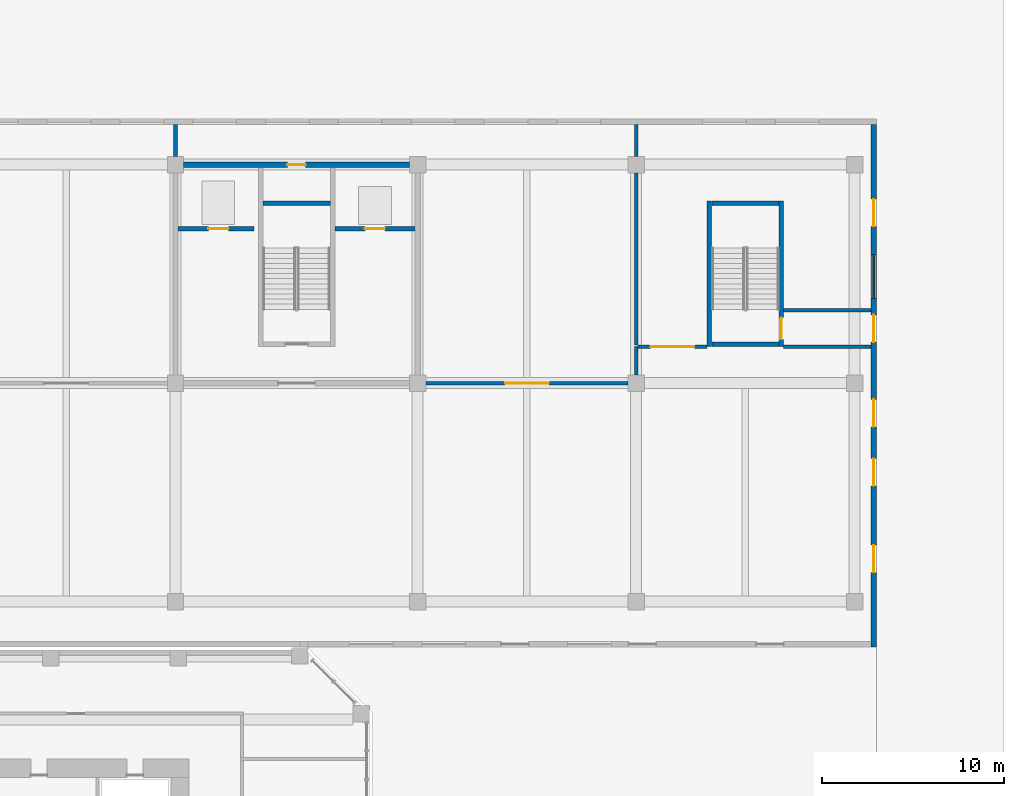
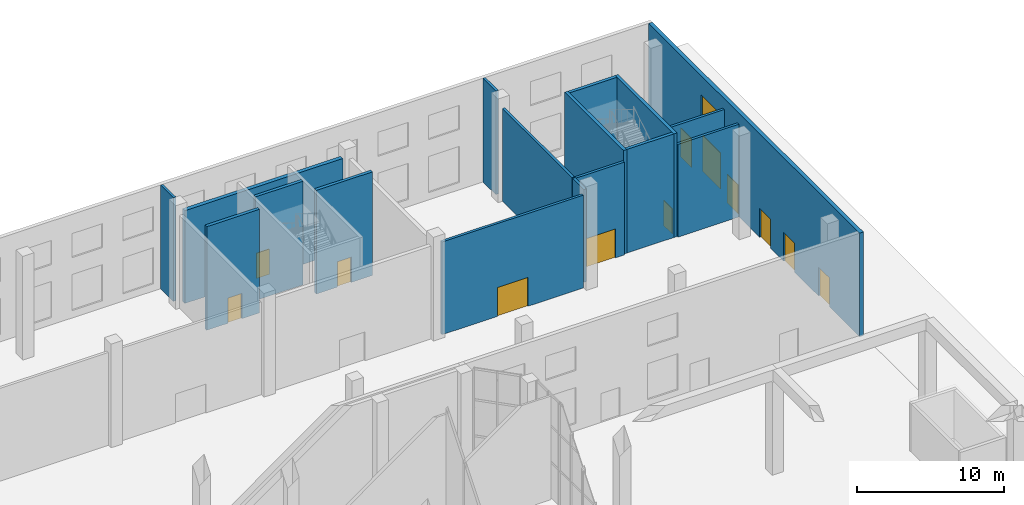
# One storey, part 30 of 43: 17 walls, 11 doors, 2 windows, 13 openings.
"""IFC4 building model written with IfcOpenShell, lengths in metres."""

from ifc_helpers import new_model, si_unit, direction, frame, frame_2d, origin, place, context, subcontext, project, spatial, rectangle, extrude, source, transform, mapped, material, layer, layer_set, type_object, element, fill, save


model = new_model("IFC4")

# Units and contexts
model_context = context("Model", 3, precision=1e-05, world=origin(), true_north=direction((0.0, 1.0)))
body_context = subcontext(model_context, "Body", "Model", "MODEL_VIEW")
ifc_project = project(units=[si_unit("LENGTHUNIT", "METRE"), si_unit("AREAUNIT", "SQUARE_METRE"), si_unit("VOLUMEUNIT", "CUBIC_METRE"), si_unit("PLANEANGLEUNIT", "RADIAN"), si_unit("MASSUNIT", "GRAM", prefix="KILO")], contexts=[model_context])

# Site, building, storey
site_placement = place(None, origin())
site = spatial("IfcSite", under=ifc_project, at=site_placement, CompositionType="ELEMENT")
building_placement = place(site_placement, origin())
building = spatial("IfcBuilding", under=site, at=building_placement, Name="Kilnfold Tower and Market Hall", CompositionType="ELEMENT")
storey_placement = place(building_placement, origin())
storey = spatial("IfcBuildingStorey", under=building, at=storey_placement, Name="L00", CompositionType="ELEMENT", Elevation=0.0)

# Walls
ifc_material_1 = material(Name="Concrete C50/60", Category="concrete")
ifc_layer_1 = layer(ifc_material_1, 0.25)
ifc_layer_set_1 = layer_set([ifc_layer_1], Name="Concrete C50/60")
wall_type_1 = type_object("IfcWallType", Name="HALL CORE WALL 250", PredefinedType="SHEAR", material=ifc_layer_set_1)
shared_shape_1 = source(origin(), body_context, "Body", "SweptSolid", [
    extrude(rectangle(XDim=3.699951171875, YDim=0.25, at=frame_2d((1.85009765625, 0.0))), origin(), (0.0, 0.0, 1.0), 8.60009765625),
])
for number, where, z_axis, x_axis, name in (
    (1, (46.800048828125, 44.77490234375, 0.0), (0.0, 0.0, 1.0), (1.0, 0.0, 0.0), "Core wall MS6"),
    (2, (46.800048828125, 52.52490234375, 0.0), (0.0, 0.0, 1.0), (1.0, 0.0, 0.0), "Core wall MS6"),
):
    element("IfcWall", number, at=place(storey_placement, frame(where, z_axis=z_axis, x_axis=x_axis)), inside=storey, type_object=wall_type_1, Name=name, PredefinedType="SHEAR", context=body_context, shape_type="MappedRepresentation", body=[
        mapped(shared_shape_1, transform((0.0, 0.0, 0.0))),
    ])
shared_shape_2 = source(origin(), body_context, "Body", "SweptSolid", [
    extrude(rectangle(XDim=3.7001953125, YDim=0.25, at=frame_2d((1.85009765625, 0.0))), origin(), (0.0, 0.0, 1.0), 8.60009765625),
])
wall_1_placement = place(storey_placement, frame((25.85009765625, 52.52490234375, 0.0), z_axis=(0.0, 0.0, 1.0), x_axis=(-1.0, 0.0, 0.0)))
element("IfcWall", 3, at=wall_1_placement, inside=storey, type_object=wall_type_1, Name="Core wall MH3", PredefinedType="SHEAR", context=body_context, shape_type="MappedRepresentation", body=[
    mapped(shared_shape_2, transform((0.0, 0.0, 0.0))),
])
shared_shape_3 = source(origin(), body_context, "Body", "SweptSolid", [
    extrude(rectangle(XDim=8.0, YDim=0.25, at=frame_2d((4.0, 0.0))), origin(), (0.0, 0.0, 1.0), 8.60009765625),
])
wall_2_placement = place(storey_placement, frame((46.675048828125, 44.64990234375, 0.0), z_axis=(0.0, 0.0, 1.0), x_axis=(0.0, 1.0, 0.0)))
element("IfcWall", 4, at=wall_2_placement, inside=storey, type_object=wall_type_1, Name="Core wall MS6", PredefinedType="SHEAR", context=body_context, shape_type="MappedRepresentation", body=[
    mapped(shared_shape_3, transform((0.0, 0.0, 0.0))),
])

# Wall, opening, door
wall_3_placement = place(storey_placement, frame((50.625, 44.64990234375, 0.0), z_axis=(0.0, 0.0, 1.0), x_axis=(0.0, 1.0, 0.0)))
wall_3 = element("IfcWall", 5, at=wall_3_placement, inside=storey, type_object=wall_type_1, Name="Core wall MS6", PredefinedType="SHEAR", context=body_context, shape_type="MappedRepresentation", body=[
    mapped(shared_shape_3, transform((0.0, 0.0, 0.0))),
])
opening_1_placement = place(wall_3_placement, frame((0.39990234375, 0.0, 0.0)))
opening_1 = element("IfcOpeningElement", 6, at=opening_1_placement, cuts=wall_3, Name="Opening MD9-60", PredefinedType="OPENING", context=body_context, shape_type="SweptSolid", body=[
    extrude(rectangle(XDim=1.199951171875, YDim=2.10009765625, at=frame_2d((0.60009765625, 1.050048828125))), frame((0.0, 0.135009765625, 0.0), z_axis=(0.0, -1.0, 0.0), x_axis=(1.0, 0.0, 0.0)), (0.0, 0.0, 1.0), 0.27001953125),
])
ifc_material_2 = material(Name="Steel S355", Category="steel")
door_type_1 = type_object("IfcDoorType", Name="HALL DOOR STAIR 1200X2100 FD60", OperationType="NOTDEFINED", PredefinedType="DOOR", material=ifc_material_2)
door_1_placement = place(opening_1_placement, origin())
door_1 = element("IfcDoor", 7, at=door_1_placement, inside=storey, type_object=door_type_1, Name="Door MD9-60", OperationType="DOUBLE_DOOR_SINGLE_SWING", OverallHeight=2.10009765625, OverallWidth=1.199951171875, PredefinedType="DOOR", context=body_context, shape_type="SweptSolid", body=[
    extrude(rectangle(XDim=1.199951171875, YDim=2.10009765625, at=frame_2d((0.60009765625, 1.050048828125))), frame((0.0, 0.02490234375, 0.0), z_axis=(0.0, -1.0, 0.0), x_axis=(1.0, 0.0, 0.0)), (0.0, 0.0, 1.0), 0.050048828125),
])
fill(opening_1, door_1)

ifc_material_3 = material(Name="Concrete C50/60", Category="concrete")
ifc_layer_2 = layer(ifc_material_3, 0.300048828125)
ifc_layer_set_2 = layer_set([ifc_layer_2], Name="Concrete C50/60")
wall_type_2 = type_object("IfcWallType", Name="HALL CORE WALL 300", PredefinedType="SHEAR", material=ifc_layer_set_2)
shared_shape_4 = source(origin(), body_context, "Body", "SweptSolid", [
    extrude(rectangle(XDim=12.39990234375, YDim=0.300048828125, at=frame_2d((6.199951171875, 0.0))), origin(), (0.0, 0.0, 1.0), 7.699951171875),
])
wall_4_placement = place(storey_placement, frame((30.199951171875, 54.64990234375, 0.0), z_axis=(0.0, 0.0, 1.0), x_axis=(-1.0, 0.0, 0.0)))
wall_4 = element("IfcWall", 8, at=wall_4_placement, inside=storey, type_object=wall_type_2, Name="Core wall MH3", PredefinedType="SHEAR", context=body_context, shape_type="MappedRepresentation", body=[
    mapped(shared_shape_4, transform((0.0, 0.0, 0.0))),
])
opening_2_placement = place(wall_4_placement, frame((5.699951171875, 0.0, 0.0)))
opening_2 = element("IfcOpeningElement", 9, at=opening_2_placement, cuts=wall_4, Name="Opening MD4-60", PredefinedType="OPENING", context=body_context, shape_type="SweptSolid", body=[
    extrude(rectangle(XDim=1.0, YDim=2.10009765625, at=frame_2d((0.5, 1.050048828125))), frame((0.0, 0.16015625, 0.0), z_axis=(0.0, -1.0, 0.0), x_axis=(1.0, 0.0, 0.0)), (0.0, 0.0, 1.0), 0.320068359375),
])
ifc_material_4 = material(Name="Steel S355", Category="steel")
door_type_2 = type_object("IfcDoorType", Name="HALL DOOR RISER 1000X2100 FD60", OperationType="NOTDEFINED", PredefinedType="DOOR", material=ifc_material_4)
door_2_placement = place(opening_2_placement, origin())
door_2 = element("IfcDoor", 10, at=door_2_placement, inside=storey, type_object=door_type_2, Name="Door MD4-60", OperationType="SINGLE_SWING_LEFT", OverallHeight=2.10009765625, OverallWidth=1.0, PredefinedType="DOOR", context=body_context, shape_type="SweptSolid", body=[
    extrude(rectangle(XDim=1.0, YDim=2.10009765625, at=frame_2d((0.5, 1.050048828125))), frame((0.0, 0.02490234375, 0.0), z_axis=(0.0, -1.0, 0.0), x_axis=(1.0, 0.0, 0.0)), (0.0, 0.0, 1.0), 0.050048828125),
])
fill(opening_2, door_2)

shared_shape_5 = source(origin(), body_context, "Body", "SweptSolid", [
    extrude(rectangle(XDim=4.39990234375, YDim=0.25, at=frame_2d((2.199951171875, 0.0))), origin(), (0.0, 0.0, 1.0), 8.60009765625),
])
wall_5_placement = place(storey_placement, frame((30.5, 51.125, 0.0), z_axis=(0.0, 0.0, 1.0), x_axis=(-1.0, 0.0, 0.0)))
wall_5 = element("IfcWall", 11, at=wall_5_placement, inside=storey, type_object=wall_type_1, Name="Core wall MH3", PredefinedType="SHEAR", context=body_context, shape_type="MappedRepresentation", body=[
    mapped(shared_shape_5, transform((0.0, 0.0, 0.0))),
])
opening_3_placement = place(wall_5_placement, frame((1.64990234375, 0.0, 0.0)))
opening_3 = element("IfcOpeningElement", 12, at=opening_3_placement, cuts=wall_5, Name="Opening LD", PredefinedType="OPENING", context=body_context, shape_type="SweptSolid", body=[
    extrude(rectangle(XDim=1.10009765625, YDim=2.10009765625, at=frame_2d((0.550048828125, 1.050048828125))), frame((0.0, 0.135009765625, 0.0), z_axis=(0.0, -1.0, 0.0), x_axis=(1.0, 0.0, 0.0)), (0.0, 0.0, 1.0), 0.27001953125),
])
ifc_material_5 = material(Name="Steel S355", Category="steel")
door_type_3 = type_object("IfcDoorType", Name="HALL LANDING DOOR 1100X2100 FD60", OperationType="NOTDEFINED", PredefinedType="DOOR", material=ifc_material_5)
door_3_placement = place(opening_3_placement, origin())
door_3 = element("IfcDoor", 13, at=door_3_placement, inside=storey, type_object=door_type_3, Name="Door LD", OperationType="SLIDING_TO_LEFT", OverallHeight=2.10009765625, OverallWidth=1.10009765625, PredefinedType="DOOR", context=body_context, shape_type="SweptSolid", body=[
    extrude(rectangle(XDim=1.10009765625, YDim=2.10009765625, at=frame_2d((0.550048828125, 1.050048828125))), frame((0.0, 0.02490234375, 0.0), z_axis=(0.0, -1.0, 0.0), x_axis=(1.0, 0.0, 0.0)), (0.0, 0.0, 1.0), 0.050048828125),
])
fill(opening_3, door_3)

shared_shape_6 = source(origin(), body_context, "Body", "SweptSolid", [
    extrude(rectangle(XDim=4.14990234375, YDim=0.25, at=frame_2d((2.074951171875, 0.0))), origin(), (0.0, 0.0, 1.0), 8.60009765625),
])
wall_6_placement = place(storey_placement, frame((21.64990234375, 51.125, 0.0), z_axis=(0.0, 0.0, 1.0), x_axis=(-1.0, 0.0, 0.0)))
wall_6 = element("IfcWall", 14, at=wall_6_placement, inside=storey, type_object=wall_type_1, Name="Core wall MH3", PredefinedType="SHEAR", context=body_context, shape_type="MappedRepresentation", body=[
    mapped(shared_shape_6, transform((0.0, 0.0, 0.0))),
])
opening_4_placement = place(wall_6_placement, frame((1.39990234375, 0.0, 0.0)))
opening_4 = element("IfcOpeningElement", 15, at=opening_4_placement, cuts=wall_6, Name="Opening LD", PredefinedType="OPENING", context=body_context, shape_type="SweptSolid", body=[
    extrude(rectangle(XDim=1.10009765625, YDim=2.10009765625, at=frame_2d((0.550048828125, 1.050048828125))), frame((0.0, 0.135009765625, 0.0), z_axis=(0.0, -1.0, 0.0), x_axis=(1.0, 0.0, 0.0)), (0.0, 0.0, 1.0), 0.27001953125),
])
door_4_placement = place(opening_4_placement, origin())
door_4 = element("IfcDoor", 16, at=door_4_placement, inside=storey, type_object=door_type_3, Name="Door LD", OperationType="SLIDING_TO_LEFT", OverallHeight=2.10009765625, OverallWidth=1.10009765625, PredefinedType="DOOR", context=body_context, shape_type="SweptSolid", body=[
    extrude(rectangle(XDim=1.10009765625, YDim=2.10009765625, at=frame_2d((0.550048828125, 1.050048828125))), frame((0.0, 0.02490234375, 0.0), z_axis=(0.0, -1.0, 0.0), x_axis=(1.0, 0.0, 0.0)), (0.0, 0.0, 1.0), 0.050048828125),
])
fill(opening_4, door_4)

# Wall, openings, windows, doors
ifc_material_6 = material(Name="Concrete blockwork", Category="masonry")
ifc_layer_3 = layer(ifc_material_6, 0.300048828125)
ifc_layer_set_3 = layer_set([ifc_layer_3], Name="Concrete blockwork")
wall_type_3 = type_object("IfcWallType", Name="HALL EXTERNAL WALL 300 EI 60", PredefinedType="SOLIDWALL", material=ifc_layer_set_3)
shared_shape_7 = source(origin(), body_context, "Body", "SweptSolid", [
    extrude(rectangle(XDim=28.7001953125, YDim=0.300048828125, at=frame_2d((14.35009765625, 0.0))), origin(), (0.0, 0.0, 1.0), 8.60009765625),
])
wall_7_placement = place(storey_placement, frame((55.699951171875, 56.85009765625, 0.0), z_axis=(0.0, 0.0, 1.0), x_axis=(0.0, -1.0, 0.0)))
wall_7 = element("IfcWall", 17, at=wall_7_placement, inside=storey, type_object=wall_type_3, Name="External wall MEW-L00.3", PredefinedType="SOLIDWALL", context=body_context, shape_type="MappedRepresentation", body=[
    mapped(shared_shape_7, transform((0.0, 0.0, 0.0))),
])
opening_5_placement = place(wall_7_placement, frame((23.10009765625, 0.0, 0.0)))
opening_5 = element("IfcOpeningElement", 18, at=opening_5_placement, cuts=wall_7, Name="Opening MED1", PredefinedType="OPENING", context=body_context, shape_type="SweptSolid", body=[
    extrude(rectangle(XDim=1.5, YDim=2.39990234375, at=frame_2d((0.75, 1.199951171875))), frame((0.0, 0.16015625, 0.0), z_axis=(0.0, -1.0, 0.0), x_axis=(1.0, 0.0, 0.0)), (0.0, 0.0, 1.0), 0.320068359375),
])
opening_6_placement = place(wall_7_placement, frame((15.10009765625, 0.0, 0.0)))
opening_6 = element("IfcOpeningElement", 19, at=opening_6_placement, cuts=wall_7, Name="Opening MED1", PredefinedType="OPENING", context=body_context, shape_type="SweptSolid", body=[
    extrude(rectangle(XDim=1.5, YDim=2.39990234375, at=frame_2d((0.75, 1.199951171875))), frame((0.0, 0.16015625, 0.0), z_axis=(0.0, -1.0, 0.0), x_axis=(1.0, 0.0, 0.0)), (0.0, 0.0, 1.0), 0.320068359375),
])
opening_7_placement = place(wall_7_placement, frame((4.10009765625, 0.0, 0.0)))
opening_7 = element("IfcOpeningElement", 20, at=opening_7_placement, cuts=wall_7, Name="Opening MED1", PredefinedType="OPENING", context=body_context, shape_type="SweptSolid", body=[
    extrude(rectangle(XDim=1.5, YDim=2.39990234375, at=frame_2d((0.75, 1.199951171875))), frame((0.0, 0.16015625, 0.0), z_axis=(0.0, -1.0, 0.0), x_axis=(1.0, 0.0, 0.0)), (0.0, 0.0, 1.0), 0.320068359375),
])
opening_8_placement = place(wall_7_placement, frame((18.35009765625, 0.0, 0.0)))
opening_8 = element("IfcOpeningElement", 21, at=opening_8_placement, cuts=wall_7, Name="Opening MED1", PredefinedType="OPENING", context=body_context, shape_type="SweptSolid", body=[
    extrude(rectangle(XDim=1.5, YDim=2.39990234375, at=frame_2d((0.75, 1.199951171875))), frame((0.0, 0.16015625, 0.0), z_axis=(0.0, -1.0, 0.0), x_axis=(1.0, 0.0, 0.0)), (0.0, 0.0, 1.0), 0.320068359375),
])
opening_9_placement = place(wall_7_placement, frame((10.449951171875, 0.0, 0.0)))
opening_9 = element("IfcOpeningElement", 22, at=opening_9_placement, cuts=wall_7, Name="Opening MED1", PredefinedType="OPENING", context=body_context, shape_type="SweptSolid", body=[
    extrude(rectangle(XDim=1.5, YDim=2.39990234375, at=frame_2d((0.75, 1.199951171875))), frame((0.0, 0.16015625, 0.0), z_axis=(0.0, -1.0, 0.0), x_axis=(1.0, 0.0, 0.0)), (0.0, 0.0, 1.0), 0.320068359375),
])
opening_10_placement = place(wall_7_placement, frame((7.14990234375, 0.0, 0.60009765625)))
opening_10 = element("IfcOpeningElement", 23, at=opening_10_placement, cuts=wall_7, Name="Opening MEN1", PredefinedType="OPENING", context=body_context, shape_type="SweptSolid", body=[
    extrude(rectangle(XDim=2.39990234375, YDim=3.0, at=frame_2d((1.199951171875, 1.5))), frame((0.0, 0.16015625, 0.0), z_axis=(0.0, -1.0, 0.0), x_axis=(1.0, 0.0, 0.0)), (0.0, 0.0, 1.0), 0.320068359375),
])
opening_11_placement = place(wall_7_placement, frame((7.14990234375, 0.0, 5.0)))
opening_11 = element("IfcOpeningElement", 24, at=opening_11_placement, cuts=wall_7, Name="Opening MEN2", PredefinedType="OPENING", context=body_context, shape_type="SweptSolid", body=[
    extrude(rectangle(XDim=2.39990234375, YDim=2.0, at=frame_2d((1.199951171875, 1.0))), frame((0.0, 0.16015625, 0.0), z_axis=(0.0, -1.0, 0.0), x_axis=(1.0, 0.0, 0.0)), (0.0, 0.0, 1.0), 0.320068359375),
])
ifc_material_7 = material(Name="Aluminium glazing", Category="aluminium")
window_type_1 = type_object("IfcWindowType", Name="CLERESTORY 2400X2000", PartitioningType="SINGLE_PANEL", PredefinedType="WINDOW", material=ifc_material_7)
window_1_placement = place(opening_11_placement, origin())
window_1 = element("IfcWindow", 25, at=window_1_placement, inside=storey, type_object=window_type_1, Name="Window clerestory", OverallHeight=2.0, OverallWidth=2.39990234375, PartitioningType="SINGLE_PANEL", PredefinedType="WINDOW", context=body_context, shape_type="SweptSolid", body=[
    extrude(rectangle(XDim=2.39990234375, YDim=2.0, at=frame_2d((1.199951171875, 1.0))), frame((0.0, 0.030029296875, 0.0), z_axis=(0.0, -1.0, 0.0), x_axis=(1.0, 0.0, 0.0)), (0.0, 0.0, 1.0), 0.06005859375),
])
fill(opening_11, window_1)
ifc_material_8 = material(Name="Aluminium glazing", Category="aluminium")
door_type_4 = type_object("IfcDoorType", Name="HALL EXIT DOOR 1500X2400", OperationType="NOTDEFINED", PredefinedType="DOOR", material=ifc_material_8)
door_5_placement = place(opening_5_placement, origin())
door_5 = element("IfcDoor", 26, at=door_5_placement, inside=storey, type_object=door_type_4, Name="Exit door ME8", OperationType="DOUBLE_DOOR_SINGLE_SWING", OverallHeight=2.39990234375, OverallWidth=1.5, PredefinedType="DOOR", context=body_context, shape_type="SweptSolid", body=[
    extrude(rectangle(XDim=1.5, YDim=2.39990234375, at=frame_2d((0.75, 1.199951171875))), frame((0.0, 0.02490234375, 0.0), z_axis=(0.0, -1.0, 0.0), x_axis=(1.0, 0.0, 0.0)), (0.0, 0.0, 1.0), 0.050048828125),
])
fill(opening_5, door_5)
door_6_placement = place(opening_6_placement, origin())
door_6 = element("IfcDoor", 27, at=door_6_placement, inside=storey, type_object=door_type_4, Name="Exit door ME9", OperationType="DOUBLE_DOOR_SINGLE_SWING", OverallHeight=2.39990234375, OverallWidth=1.5, PredefinedType="DOOR", context=body_context, shape_type="SweptSolid", body=[
    extrude(rectangle(XDim=1.5, YDim=2.39990234375, at=frame_2d((0.75, 1.199951171875))), frame((0.0, 0.02490234375, 0.0), z_axis=(0.0, -1.0, 0.0), x_axis=(1.0, 0.0, 0.0)), (0.0, 0.0, 1.0), 0.050048828125),
])
fill(opening_6, door_6)
door_7_placement = place(opening_7_placement, origin())
door_7 = element("IfcDoor", 28, at=door_7_placement, inside=storey, type_object=door_type_4, Name="Exit door ME10", OperationType="DOUBLE_DOOR_SINGLE_SWING", OverallHeight=2.39990234375, OverallWidth=1.5, PredefinedType="DOOR", context=body_context, shape_type="SweptSolid", body=[
    extrude(rectangle(XDim=1.5, YDim=2.39990234375, at=frame_2d((0.75, 1.199951171875))), frame((0.0, 0.02490234375, 0.0), z_axis=(0.0, -1.0, 0.0), x_axis=(1.0, 0.0, 0.0)), (0.0, 0.0, 1.0), 0.050048828125),
])
fill(opening_7, door_7)
door_8_placement = place(opening_8_placement, origin())
door_8 = element("IfcDoor", 29, at=door_8_placement, inside=storey, type_object=door_type_4, Name="Exit door ME15", OperationType="DOUBLE_DOOR_SINGLE_SWING", OverallHeight=2.39990234375, OverallWidth=1.5, PredefinedType="DOOR", context=body_context, shape_type="SweptSolid", body=[
    extrude(rectangle(XDim=1.5, YDim=2.39990234375, at=frame_2d((0.75, 1.199951171875))), frame((0.0, 0.02490234375, 0.0), z_axis=(0.0, -1.0, 0.0), x_axis=(1.0, 0.0, 0.0)), (0.0, 0.0, 1.0), 0.050048828125),
])
fill(opening_8, door_8)
door_9_placement = place(opening_9_placement, origin())
door_9 = element("IfcDoor", 30, at=door_9_placement, inside=storey, type_object=door_type_4, Name="Exit door ME16", OperationType="DOUBLE_DOOR_SINGLE_SWING", OverallHeight=2.39990234375, OverallWidth=1.5, PredefinedType="DOOR", context=body_context, shape_type="SweptSolid", body=[
    extrude(rectangle(XDim=1.5, YDim=2.39990234375, at=frame_2d((0.75, 1.199951171875))), frame((0.0, 0.02490234375, 0.0), z_axis=(0.0, -1.0, 0.0), x_axis=(1.0, 0.0, 0.0)), (0.0, 0.0, 1.0), 0.050048828125),
])
fill(opening_9, door_9)
ifc_material_9 = material(Name="Aluminium glazing", Category="aluminium")
window_type_2 = type_object("IfcWindowType", Name="SHOPFRONT 2400X3000", PartitioningType="SINGLE_PANEL", PredefinedType="WINDOW", material=ifc_material_9)
window_2_placement = place(opening_10_placement, origin())
window_2 = element("IfcWindow", 31, at=window_2_placement, inside=storey, type_object=window_type_2, Name="Window shop", OverallHeight=3.0, OverallWidth=2.39990234375, PartitioningType="SINGLE_PANEL", PredefinedType="WINDOW", context=body_context, shape_type="SweptSolid", body=[
    extrude(rectangle(XDim=2.39990234375, YDim=3.0, at=frame_2d((1.199951171875, 1.5))), frame((0.0, 0.030029296875, 0.0), z_axis=(0.0, -1.0, 0.0), x_axis=(1.0, 0.0, 0.0)), (0.0, 0.0, 1.0), 0.06005859375),
])
fill(opening_10, window_2)

# Walls
ifc_material_10 = material(Name="Concrete blockwork", Category="masonry")
ifc_layer_4 = layer(ifc_material_10, 0.199951171875)
ifc_layer_set_4 = layer_set([ifc_layer_4], Name="Concrete blockwork")
wall_type_4 = type_object("IfcWallType", Name="HALL PARTITION 200 EI 60", PredefinedType="PARTITIONING", material=ifc_layer_set_4)
shared_shape_8 = source(origin(), body_context, "Body", "SweptSolid", [
    extrude(rectangle(XDim=1.75, YDim=0.199951171875, at=frame_2d((0.875, 0.0))), origin(), (0.0, 0.0, 1.0), 8.60009765625),
])
for number, where, z_axis, x_axis, name in (
    (32, (17.35009765625, 56.85009765625, 0.0), (0.0, 0.0, 1.0), (0.0, -1.0, 0.0), "Partition W-MH-L00.42"),
    (33, (42.64990234375, 56.85009765625, 0.0), (0.0, 0.0, 1.0), (0.0, -1.0, 0.0), "Partition W-MH-L00.47"),
):
    element("IfcWall", number, at=place(storey_placement, frame(where, z_axis=z_axis, x_axis=x_axis)), inside=storey, type_object=wall_type_4, Name=name, PredefinedType="PARTITIONING", context=body_context, shape_type="MappedRepresentation", body=[
        mapped(shared_shape_8, transform((0.0, 0.0, 0.0))),
    ])
shared_shape_9 = source(origin(), body_context, "Body", "SweptSolid", [
    extrude(rectangle(XDim=9.449951171875, YDim=0.199951171875, at=frame_2d((4.72509765625, 0.0))), origin(), (0.0, 0.0, 1.0), 7.699951171875),
])
wall_8_placement = place(storey_placement, frame((42.64990234375, 54.199951171875, 0.0), z_axis=(0.0, 0.0, 1.0), x_axis=(0.0, -1.0, 0.0)))
element("IfcWall", 34, at=wall_8_placement, inside=storey, type_object=wall_type_4, Name="Partition W-MH-L00.46", PredefinedType="PARTITIONING", context=body_context, shape_type="MappedRepresentation", body=[
    mapped(shared_shape_9, transform((0.0, 0.0, 0.0))),
])

# Wall, opening, door
shared_shape_10 = source(origin(), body_context, "Body", "SweptSolid", [
    extrude(rectangle(XDim=11.099853515625, YDim=0.199951171875, at=frame_2d((5.5498046875, 0.0))), origin(), (0.0, 0.0, 1.0), 7.699951171875),
])
wall_9_placement = place(storey_placement, frame((31.10009765625, 42.64990234375, 0.0), z_axis=(0.0, 0.0, 1.0), x_axis=(1.0, 0.0, 0.0)))
wall_9 = element("IfcWall", 35, at=wall_9_placement, inside=storey, type_object=wall_type_4, Name="Partition W-MH-L00.43", PredefinedType="PARTITIONING", context=body_context, shape_type="MappedRepresentation", body=[
    mapped(shared_shape_10, transform((0.0, 0.0, 0.0))),
])
opening_12_placement = place(wall_9_placement, frame((4.35009765625, 0.0, 0.0)))
opening_12 = element("IfcOpeningElement", 36, at=opening_12_placement, cuts=wall_9, Name="Opening MD7-60", PredefinedType="OPENING", context=body_context, shape_type="SweptSolid", body=[
    extrude(rectangle(XDim=2.39990234375, YDim=2.39990234375, at=frame_2d((1.199951171875, 1.199951171875))), frame((0.0, 0.10986328125, 0.0), z_axis=(0.0, -1.0, 0.0), x_axis=(1.0, 0.0, 0.0)), (0.0, 0.0, 1.0), 0.219970703125),
])
ifc_material_11 = material(Name="Aluminium glazing", Category="aluminium")
door_type_5 = type_object("IfcDoorType", Name="HALL DOOR HALL 2400X2400 FD60", OperationType="NOTDEFINED", PredefinedType="DOOR", material=ifc_material_11)
door_10_placement = place(opening_12_placement, origin())
door_10 = element("IfcDoor", 37, at=door_10_placement, inside=storey, type_object=door_type_5, Name="Door MD7-60", OperationType="DOUBLE_DOOR_SINGLE_SWING", OverallHeight=2.39990234375, OverallWidth=2.39990234375, PredefinedType="DOOR", context=body_context, shape_type="SweptSolid", body=[
    extrude(rectangle(XDim=2.39990234375, YDim=2.39990234375, at=frame_2d((1.199951171875, 1.199951171875))), frame((0.0, 0.02490234375, 0.0), z_axis=(0.0, -1.0, 0.0), x_axis=(1.0, 0.0, 0.0)), (0.0, 0.0, 1.0), 0.050048828125),
])
fill(opening_12, door_10)

# Wall
shared_shape_11 = source(origin(), body_context, "Body", "SweptSolid", [
    extrude(rectangle(XDim=1.5498046875, YDim=0.199951171875, at=frame_2d((0.77490234375, 0.0))), origin(), (0.0, 0.0, 1.0), 7.699951171875),
])
wall_10_placement = place(storey_placement, frame((42.64990234375, 43.10009765625, 0.0), z_axis=(0.0, 0.0, 1.0), x_axis=(0.0, 1.0, 0.0)))
element("IfcWall", 38, at=wall_10_placement, inside=storey, type_object=wall_type_4, Name="Partition W-MH-L00.44", PredefinedType="PARTITIONING", context=body_context, shape_type="MappedRepresentation", body=[
    mapped(shared_shape_11, transform((0.0, 0.0, 0.0))),
])

# Wall, opening, door
shared_shape_12 = source(origin(), body_context, "Body", "SweptSolid", [
    extrude(rectangle(XDim=3.800048828125, YDim=0.199951171875, at=frame_2d((1.89990234375, 0.0))), origin(), (0.0, 0.0, 1.0), 7.699951171875),
])
wall_11_placement = place(storey_placement, frame((42.75, 44.64990234375, 0.0), z_axis=(0.0, 0.0, 1.0), x_axis=(1.0, 0.0, 0.0)))
wall_11 = element("IfcWall", 39, at=wall_11_placement, inside=storey, type_object=wall_type_4, Name="Partition W-MH-L00.45", PredefinedType="PARTITIONING", context=body_context, shape_type="MappedRepresentation", body=[
    mapped(shared_shape_12, transform((0.0, 0.0, 0.0))),
])
opening_13_placement = place(wall_11_placement, frame((0.699951171875, 0.0, 0.0)))
opening_13 = element("IfcOpeningElement", 40, at=opening_13_placement, cuts=wall_11, Name="Opening MD7-60", PredefinedType="OPENING", context=body_context, shape_type="SweptSolid", body=[
    extrude(rectangle(XDim=2.39990234375, YDim=2.39990234375, at=frame_2d((1.199951171875, 1.199951171875))), frame((0.0, 0.10986328125, 0.0), z_axis=(0.0, -1.0, 0.0), x_axis=(1.0, 0.0, 0.0)), (0.0, 0.0, 1.0), 0.219970703125),
])
door_11_placement = place(opening_13_placement, origin())
door_11 = element("IfcDoor", 41, at=door_11_placement, inside=storey, type_object=door_type_5, Name="Door MD7-60", OperationType="DOUBLE_DOOR_SINGLE_SWING", OverallHeight=2.39990234375, OverallWidth=2.39990234375, PredefinedType="DOOR", context=body_context, shape_type="SweptSolid", body=[
    extrude(rectangle(XDim=2.39990234375, YDim=2.39990234375, at=frame_2d((1.199951171875, 1.199951171875))), frame((0.0, 0.02490234375, 0.0), z_axis=(0.0, -1.0, 0.0), x_axis=(1.0, 0.0, 0.0)), (0.0, 0.0, 1.0), 0.050048828125),
])
fill(opening_13, door_11)

# Walls
shared_shape_13 = source(origin(), body_context, "Body", "SweptSolid", [
    extrude(rectangle(XDim=4.800048828125, YDim=0.199951171875, at=frame_2d((2.39990234375, 0.0))), origin(), (0.0, 0.0, 1.0), 7.699951171875),
])
for number, where, z_axis, x_axis, name in (
    (42, (50.75, 44.64990234375, 0.0), (0.0, 0.0, 1.0), (1.0, 0.0, 0.0), "Partition W-MH-L00.48"),
    (43, (55.550048828125, 46.64990234375, 0.0), (0.0, 0.0, 1.0), (-1.0, 0.0, 0.0), "Partition W-MH-L00.49"),
):
    element("IfcWall", number, at=place(storey_placement, frame(where, z_axis=z_axis, x_axis=x_axis)), inside=storey, type_object=wall_type_4, Name=name, PredefinedType="PARTITIONING", context=body_context, shape_type="MappedRepresentation", body=[
        mapped(shared_shape_13, transform((0.0, 0.0, 0.0))),
    ])

save(model, "model.ifc")
